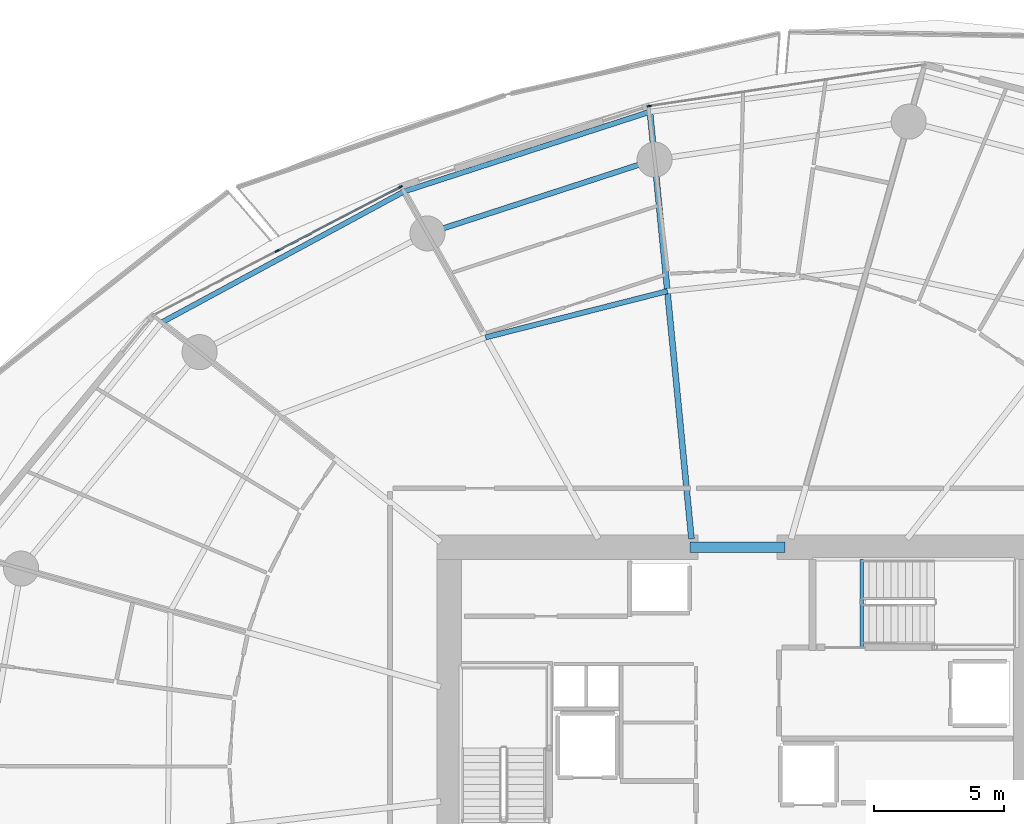
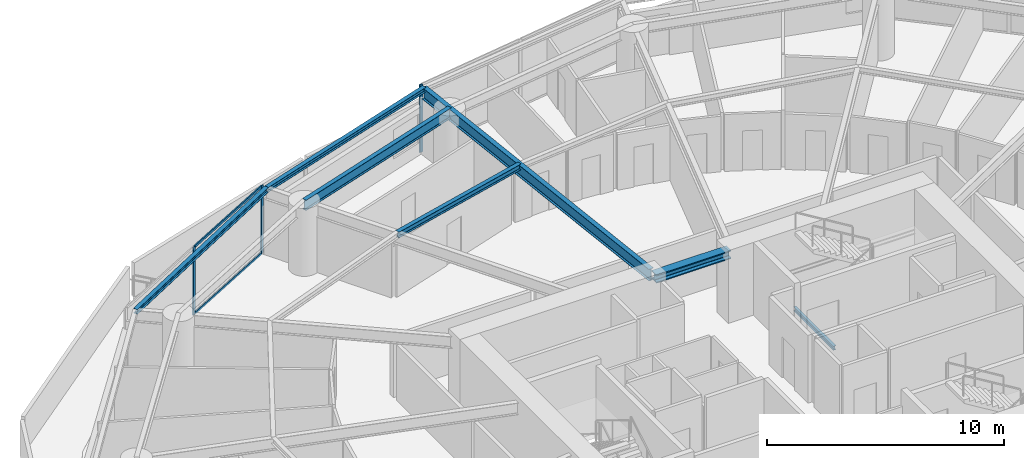
# One storey, part 13 of 31: 7 beams, 5 members, 2 elements without a shape of their own.
"""IFC4 building model written with IfcOpenShell, lengths in metres."""

from ifc_helpers import new_model, si_unit, direction, frame, origin, origin_2d, place, context, subcontext, project, spatial, rectangle, i_section, extrude, material, layer, layer_set, material_profile, profile_set, type_object, element, aggregate, save


model = new_model("IFC4")

# Units and contexts
model_context = context("Model", 3, precision=1e-05, world=origin(), true_north=direction((0.0, 1.0)))
body_context = subcontext(model_context, "Body", "Model", "MODEL_VIEW")
ifc_project = project(units=[si_unit("LENGTHUNIT", "METRE"), si_unit("AREAUNIT", "SQUARE_METRE"), si_unit("VOLUMEUNIT", "CUBIC_METRE"), si_unit("PLANEANGLEUNIT", "RADIAN"), si_unit("MASSUNIT", "GRAM", prefix="KILO")], contexts=[model_context])

# Site, building, storey
site_placement = place(None, origin())
site = spatial("IfcSite", under=ifc_project, at=site_placement, CompositionType="ELEMENT")
building_placement = place(site_placement, origin())
building = spatial("IfcBuilding", under=site, at=building_placement, Name="Kazma Halo Residences", CompositionType="ELEMENT")
storey_placement = place(building_placement, frame((0.0, 0.0, 48.89990234375)))
storey = spatial("IfcBuildingStorey", under=building, at=storey_placement, Name="L11", CompositionType="ELEMENT", Elevation=48.89990234375)

# Beams
ifc_material_1 = material(Name="Steel S355", Category="steel")
ifc_material_profile_1 = material_profile(ifc_material_1, i_section(OverallWidth=0.201904296875, OverallDepth=0.2470703125, WebThickness=0.00732421875, FlangeThickness=0.010986328125, FilletRadius=0.011962890625, at=origin_2d()), Name="W250x49.1")
ifc_profile_set_1 = profile_set([ifc_material_profile_1], Name="Steel S355")
beam_type_1 = type_object("IfcBeamType", Name="BM-BAL-CANT", PredefinedType="BEAM", material=ifc_profile_set_1)
beam_1_placement = place(storey_placement, frame((45.052734375, 67.230712890625, 3.376708984375), z_axis=(-0.951307246639, -0.308244257842, 0.0), x_axis=(0.308244257842, -0.951307246639, 0.0)))
element("IfcBeam", 1, at=beam_1_placement, inside=storey, type_object=beam_type_1, Name="L11 wave-balcony tie beam 04", PredefinedType="BEAM", context=body_context, shape_type="SweptSolid", body=[
    extrude(i_section(OverallWidth=0.201904296875, OverallDepth=0.2470703125, WebThickness=0.00732421875, FlangeThickness=0.010986328125, FilletRadius=0.011962890625, at=origin_2d()), origin(), (0.0, 0.0, 1.0), 9.949462890625),
])
beam_2_placement = place(storey_placement, frame((35.587646484375, 64.163818359375, 3.376708984375), z_axis=(-0.879759421466, -0.47541914175, 0.0), x_axis=(0.47541914175, -0.879759421466, 0.0)))
element("IfcBeam", 2, at=beam_2_placement, inside=storey, type_object=beam_type_1, Name="L11 wave-balcony tie beam 05", PredefinedType="BEAM", context=body_context, shape_type="SweptSolid", body=[
    extrude(i_section(OverallWidth=0.201904296875, OverallDepth=0.2470703125, WebThickness=0.00732421875, FlangeThickness=0.010986328125, FilletRadius=0.011962890625, at=origin_2d()), origin(), (0.0, 0.0, 1.0), 10.58935546875),
])
ifc_material_profile_2 = material_profile(ifc_material_1, i_section(OverallWidth=0.408935546875, OverallDepth=0.425048828125, WebThickness=0.03271484375, FlangeThickness=0.052490234375, FilletRadius=0.02001953125, at=origin_2d()), Name="W360x421")
ifc_profile_set_2 = profile_set([ifc_material_profile_2], Name="Steel S355")
beam_type_2 = type_object("IfcBeamType", Name="BM-CORE-W360H", PredefinedType="BEAM", material=ifc_profile_set_2)
beam_3_placement = place(storey_placement, frame((46.60009765625, 50.47509765625, 3.28759765625), z_axis=(1.0, 0.0, 0.0), x_axis=(0.0, 1.0, 0.0)))
element("IfcBeam", 3, at=beam_3_placement, inside=storey, type_object=beam_type_2, Name="L11 core coupling beam N", PredefinedType="BEAM", context=body_context, shape_type="SweptSolid", body=[
    extrude(i_section(OverallWidth=0.408935546875, OverallDepth=0.425048828125, WebThickness=0.03271484375, FlangeThickness=0.052490234375, FilletRadius=0.02001953125, at=origin_2d()), origin(), (0.0, 0.0, 1.0), 3.64990234375),
])
ifc_material_profile_3 = material_profile(ifc_material_1, i_section(OverallWidth=0.22802734375, OverallDepth=0.60791015625, WebThickness=0.01123046875, FlangeThickness=0.017333984375, FilletRadius=0.01806640625, at=origin_2d()), Name="W610x113")
ifc_profile_set_3 = profile_set([ifc_material_profile_3], Name="Steel S355")
beam_type_3 = type_object("IfcBeamType", Name="BM-RAD-W610", PredefinedType="BEAM", material=ifc_profile_set_3)
beam_4_placement = place(storey_placement, frame((46.64990234375, 50.800048828125, 3.196044921875), z_axis=(-0.096750509471, 0.995308665147, 0.0), x_axis=(-0.995308665147, -0.096750509471, 0.0)))
element("IfcBeam", 4, at=beam_4_placement, inside=storey, type_object=beam_type_3, Name="L11 radial floor beam 04", PredefinedType="BEAM", context=body_context, shape_type="SweptSolid", body=[
    extrude(i_section(OverallWidth=0.22802734375, OverallDepth=0.60791015625, WebThickness=0.01123046875, FlangeThickness=0.017333984375, FilletRadius=0.01806640625, at=origin_2d()), origin(), (0.0, 0.0, 1.0), 16.508056640625),
])
ifc_material_profile_4 = material_profile(ifc_material_1, i_section(OverallWidth=0.202880859375, OverallDepth=0.302978515625, WebThickness=0.007568359375, FlangeThickness=0.01318359375, FilletRadius=0.013916015625, at=origin_2d()), Name="W310x60")
ifc_profile_set_4 = profile_set([ifc_material_profile_4], Name="Steel S355")
beam_type_4 = type_object("IfcBeamType", Name="BM-SEC-W310A", PredefinedType="JOIST", material=ifc_profile_set_4)
beam_5_placement = place(storey_placement, frame((45.7236328125, 60.329833984375, 3.3486328125), z_axis=(-0.969127021388, -0.246561993047, 0.0), x_axis=(0.246561993047, -0.969127021388, 0.0)))
element("IfcBeam", 5, at=beam_5_placement, inside=storey, type_object=beam_type_4, Name="L11 circumferential floor joist 04", PredefinedType="JOIST", context=body_context, shape_type="SweptSolid", body=[
    extrude(i_section(OverallWidth=0.202880859375, OverallDepth=0.302978515625, WebThickness=0.007568359375, FlangeThickness=0.01318359375, FilletRadius=0.013916015625, at=origin_2d()), origin(), (0.0, 0.0, 1.0), 7.21533203125),
])
ifc_material_profile_5 = material_profile(ifc_material_1, i_section(OverallWidth=0.208984375, OverallDepth=0.532958984375, WebThickness=0.01025390625, FlangeThickness=0.015625, FilletRadius=0.01611328125, at=origin_2d()), Name="W530x92")
ifc_profile_set_5 = profile_set([ifc_material_profile_5], Name="Steel S355")
beam_type_5 = type_object("IfcBeamType", Name="BM-SPN-W530", PredefinedType="BEAM", material=ifc_profile_set_5)
beam_6_placement = place(storey_placement, frame((45.231689453125, 65.389404296875, 3.233642578125), z_axis=(-0.951054956346, -0.309021795363, 0.0), x_axis=(0.309021795363, -0.951054956346, 0.0)))
element("IfcBeam", 6, at=beam_6_placement, inside=storey, type_object=beam_type_5, Name="L11 perimeter ring beam 04", PredefinedType="BEAM", context=body_context, shape_type="SweptSolid", body=[
    extrude(i_section(OverallWidth=0.208984375, OverallDepth=0.532958984375, WebThickness=0.01025390625, FlangeThickness=0.015625, FilletRadius=0.01611328125, at=origin_2d()), origin(), (0.0, 0.0, 1.0), 9.189697265625),
])
ifc_material_profile_6 = material_profile(ifc_material_1, i_section(OverallWidth=0.133056640625, OverallDepth=0.20703125, WebThickness=0.005859375, FlangeThickness=0.00830078125, FilletRadius=0.010009765625, at=origin_2d()), Name="W200x26.6")
ifc_profile_set_6 = profile_set([ifc_material_profile_6], Name="Steel S355")
beam_type_6 = type_object("IfcBeamType", Name="BM-TRIM-W200", PredefinedType="BEAM", material=ifc_profile_set_6)
beam_7_placement = place(storey_placement, frame((53.199951171875, 46.6201171875, -0.35986328125), z_axis=(0.0, 1.0, 0.0), x_axis=(-1.0, 0.0, 0.0)))
element("IfcBeam", 7, at=beam_7_placement, inside=storey, type_object=beam_type_6, Name="L11 ST-02 floor landing support beam", PredefinedType="BEAM", context=body_context, shape_type="SweptSolid", body=[
    extrude(i_section(OverallWidth=0.133056640625, OverallDepth=0.20703125, WebThickness=0.005859375, FlangeThickness=0.00830078125, FilletRadius=0.010009765625, at=origin_2d()), origin(), (0.0, 0.0, 1.0), 3.3798828125),
])

# Curtain wall, member
ifc_material_2 = material(Name="Aluminium AW-6063 T6 and Triple-Silver Low-E Glass", Category="aluminium")
ifc_layer = layer(ifc_material_2, 0.159912109375)
ifc_layer_set = layer_set([ifc_layer], Name="Aluminium AW-6063 T6 and Triple-Silver Low-E Glass")
curtain_wall_type = type_object("IfcCurtainWallType", Name="CW-SYS-2", PredefinedType="NOTDEFINED", material=ifc_layer_set)
curtain_wall_1_placement = place(storey_placement, origin())
curtain_wall_1 = element("IfcCurtainWall", 8, at=curtain_wall_1_placement, inside=storey, type_object=curtain_wall_type, Name="L11 unitised curtain wall B03", PredefinedType="NOTDEFINED")
ifc_material_3 = material(Name="Aluminium AW-6063 T6", Category="aluminium")
ifc_material_profile_7 = material_profile(ifc_material_3, rectangle(XDim=0.06005859375, YDim=0.159912109375, at=origin_2d()), Name="CWM-60x160")
ifc_profile_set_7 = profile_set([ifc_material_profile_7], Name="Aluminium AW-6063 T6")
member_type_1 = type_object("IfcMemberType", Name="CW-SYS-2-MUL", PredefinedType="MULLION", material=ifc_profile_set_7)
member_1_placement = place(storey_placement, frame((45.018310546875, 67.447509765625, 0.0), z_axis=(0.0, 0.0, 1.0), x_axis=(0.148657272805, -0.988888777994, 0.0)))
member_1 = element("IfcMember", 9, at=member_1_placement, type_object=member_type_1, Name="CWS-2 mullion 3", PredefinedType="MULLION", context=body_context, shape_type="SweptSolid", body=[
    extrude(rectangle(XDim=0.06005859375, YDim=0.159912109375, at=origin_2d()), origin(), (0.0, 0.0, 1.0), 3.5),
])
aggregate(curtain_wall_1, [member_1])

# Curtain wall, members
curtain_wall_2_placement = place(storey_placement, origin())
curtain_wall_2 = element("IfcCurtainWall", 10, at=curtain_wall_2_placement, inside=storey, type_object=curtain_wall_type, Name="L11 unitised curtain wall B05", PredefinedType="NOTDEFINED")
member_2_placement = place(storey_placement, frame((35.45458984375, 64.340087890625, 0.0), z_axis=(0.0, 0.0, 1.0), x_axis=(0.460995912628, -0.887402258584, 0.0)))
member_2 = element("IfcMember", 11, at=member_2_placement, type_object=member_type_1, Name="CWS-2 mullion 1", PredefinedType="MULLION", context=body_context, shape_type="SweptSolid", body=[
    extrude(rectangle(XDim=0.06005859375, YDim=0.159912109375, at=origin_2d()), origin(), (0.0, 0.0, 1.0), 3.5),
])
member_3_placement = place(storey_placement, frame((30.7080078125, 61.874267578125, 0.0), z_axis=(0.0, 0.0, 1.0), x_axis=(0.460995912628, -0.887402258584, 0.0)))
member_3 = element("IfcMember", 12, at=member_3_placement, type_object=member_type_1, Name="CWS-2 mullion 2", PredefinedType="MULLION", context=body_context, shape_type="SweptSolid", body=[
    extrude(rectangle(XDim=0.06005859375, YDim=0.159912109375, at=origin_2d()), origin(), (0.0, 0.0, 1.0), 3.5),
])
ifc_material_profile_8 = material_profile(ifc_material_3, rectangle(XDim=0.06005859375, YDim=0.1201171875, at=origin_2d()), Name="CWT-60x120")
ifc_profile_set_8 = profile_set([ifc_material_profile_8], Name="Aluminium AW-6063 T6")
member_type_2 = type_object("IfcMemberType", Name="CW-SYS-2-TRN", PredefinedType="USERDEFINED", material=ifc_profile_set_8)
member_4_placement = place(storey_placement, frame((35.427978515625, 64.326171875, 0.030029296875), z_axis=(-0.887414738583, -0.460971888238, 0.0), x_axis=(0.460971888238, -0.887414738583, 0.0)))
member_4 = element("IfcMember", 13, at=member_4_placement, type_object=member_type_2, Name="CWS-2 transom 1.1", ObjectType="TRANSOM", PredefinedType="USERDEFINED", context=body_context, shape_type="SweptSolid", body=[
    extrude(rectangle(XDim=0.06005859375, YDim=0.1201171875, at=origin_2d()), origin(), (0.0, 0.0, 1.0), 5.288818359375),
])
member_5_placement = place(storey_placement, frame((35.427978515625, 64.326171875, 3.47021484375), z_axis=(-0.887414738583, -0.460971888238, 0.0), x_axis=(0.460971888238, -0.887414738583, 0.0)))
member_5 = element("IfcMember", 14, at=member_5_placement, type_object=member_type_2, Name="CWS-2 transom 1.2", ObjectType="TRANSOM", PredefinedType="USERDEFINED", context=body_context, shape_type="SweptSolid", body=[
    extrude(rectangle(XDim=0.06005859375, YDim=0.1201171875, at=origin_2d()), origin(), (0.0, 0.0, 1.0), 5.288818359375),
])
aggregate(curtain_wall_2, [member_2, member_3, member_4, member_5])

save(model, "model.ifc")
